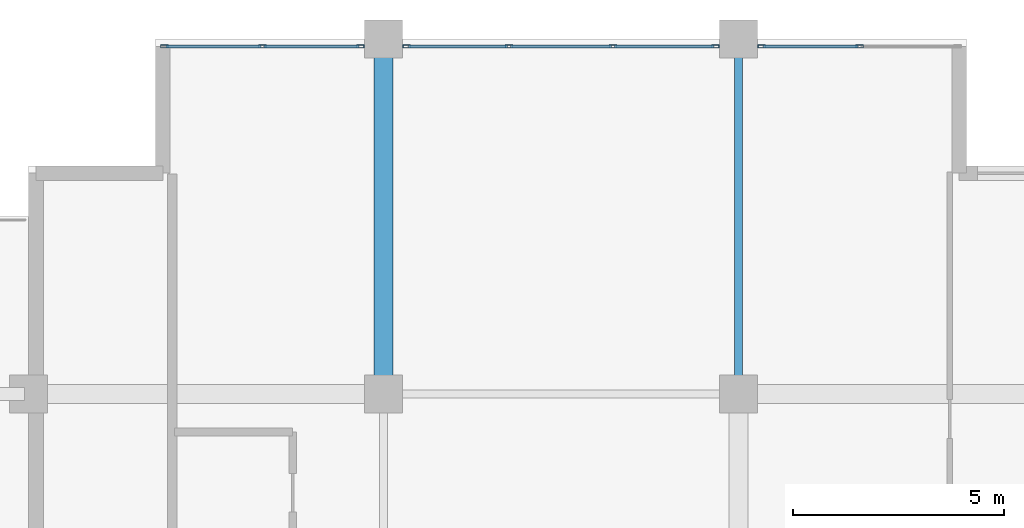
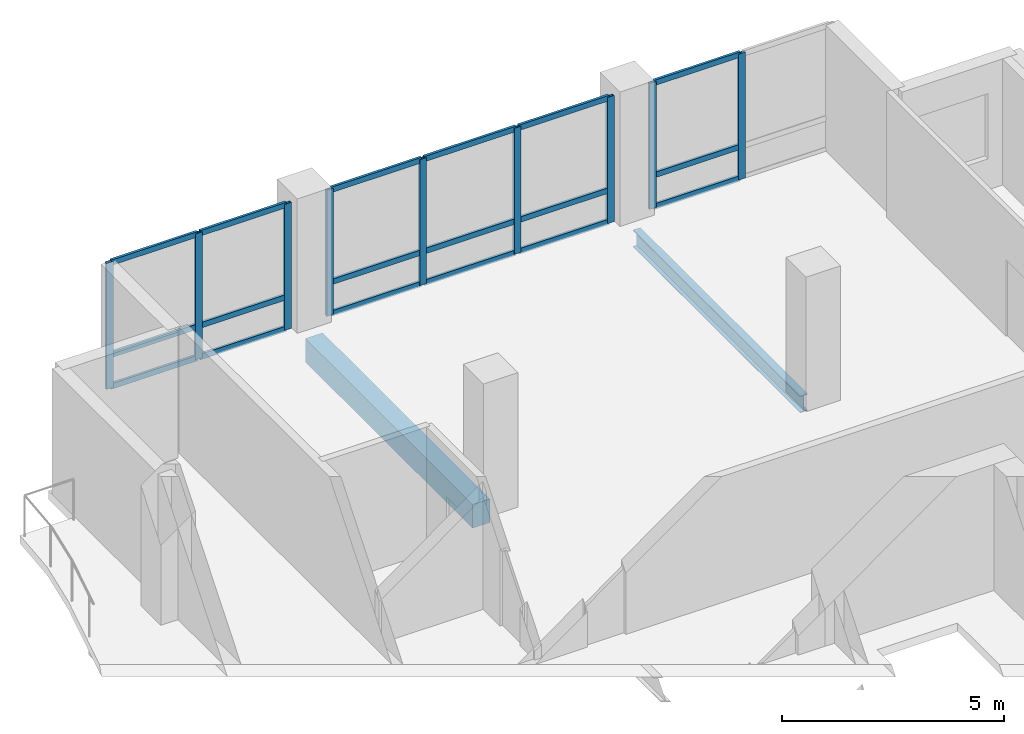
# One storey, part 3 of 16: 27 members, 2 beams, 3 elements without a shape of their own.
"""IFC4 building model written with IfcOpenShell, lengths in metres."""

from ifc_helpers import new_model, si_unit, direction, frame, origin, origin_2d, place, context, subcontext, project, spatial, rectangle, hollow_rectangle, i_section, extrude, material, layer, layer_set, material_profile, profile_set, type_object, element, aggregate, save


model = new_model("IFC4")

# Units and contexts
model_context = context("Model", 3, precision=1e-05, world=origin(), true_north=direction((0.0, 1.0)))
body_context = subcontext(model_context, "Body", "Model", "MODEL_VIEW")
ifc_project = project(units=[si_unit("LENGTHUNIT", "METRE"), si_unit("AREAUNIT", "SQUARE_METRE"), si_unit("VOLUMEUNIT", "CUBIC_METRE"), si_unit("PLANEANGLEUNIT", "RADIAN"), si_unit("MASSUNIT", "GRAM", prefix="KILO")], contexts=[model_context])

# Site, building, storey
site_placement = place(None, origin())
site = spatial("IfcSite", under=ifc_project, at=site_placement, CompositionType="ELEMENT")
building_placement = place(site_placement, origin())
building = spatial("IfcBuilding", under=site, at=building_placement, Name="Koriwani Terraces Tower", CompositionType="ELEMENT")
storey_placement = place(building_placement, frame((0.0, 0.0, 267.5)))
storey = spatial("IfcBuildingStorey", under=building, at=storey_placement, Name="L66", CompositionType="ELEMENT", Elevation=267.5)

# Beam
ifc_material_1 = material(Name="Concrete C50/60", Category="concrete")
ifc_material_profile_1 = material_profile(ifc_material_1, rectangle(XDim=0.449951171875, YDim=0.64990234375, at=origin_2d()), Name="Concrete C50/60", Category="LoadBearing")
ifc_profile_set_1 = profile_set([ifc_material_profile_1], Name="Concrete C50/60")
beam_type_1 = type_object("IfcBeamType", Name="BEAM_RC_GRID_450X650", PredefinedType="BEAM", material=ifc_profile_set_1)
beam_1_placement = place(storey_placement, frame((16.800048828125, 67.6298828125, -0.554931640625), z_axis=(0.0, 1.0, 0.0), x_axis=(-1.0, 0.0, 0.0)))
element("IfcBeam", 1, at=beam_1_placement, inside=storey, type_object=beam_type_1, Name="L66 Grid Beam 3 (67.2-75.6m)", PredefinedType="BEAM", context=body_context, shape_type="SweptSolid", body=[
    extrude(rectangle(XDim=0.449951171875, YDim=0.64990234375, at=origin_2d()), origin(), (0.0, 0.0, 1.0), 7.5400390625),
])

# Curtain wall, members
ifc_material_2 = material(Name="Anodised Bronze Aluminium", Category="aluminium")
ifc_layer = layer(ifc_material_2, 0.169921875, Name="Anodised Bronze Aluminium")
ifc_layer_set = layer_set([ifc_layer], Name="Anodised Bronze Aluminium")
curtain_wall_type = type_object("IfcCurtainWallType", Name="CW_RES_ZONE4", PredefinedType="NOTDEFINED", material=ifc_layer_set)
curtain_wall_1_placement = place(storey_placement, origin())
curtain_wall_1 = element("IfcCurtainWall", 2, at=curtain_wall_1_placement, inside=storey, type_object=curtain_wall_type, Name="L66 Unitised Curtain Wall (N_TIP) Bay 1", PredefinedType="NOTDEFINED")
ifc_material_profile_2 = material_profile(ifc_material_2, hollow_rectangle(XDim=0.074951171875, YDim=0.179931640625, WallThickness=0.006103515625, at=origin_2d()), Name="Anodised Bronze Aluminium", Category="LoadBearing")
ifc_profile_set_2 = profile_set([ifc_material_profile_2], Name="Anodised Bronze Aluminium")
member_type_1 = type_object("IfcMemberType", Name="CW_MULLION_180X75", PredefinedType="MULLION", material=ifc_profile_set_2)
member_1_placement = place(storey_placement, frame((11.612548828125, 75.425048828125, 0.0), z_axis=(0.0, 0.0, 1.0), x_axis=(0.0, 1.0, 0.0)))
member_1 = element("IfcMember", 3, at=member_1_placement, type_object=member_type_1, Name="CW-Z4 mullion 1", PredefinedType="MULLION", context=body_context, shape_type="SweptSolid", body=[
    extrude(hollow_rectangle(XDim=0.074951171875, YDim=0.179931640625, WallThickness=0.006103515625, at=origin_2d()), origin(), (0.0, 0.0, 1.0), 3.469970703125),
])
member_2_placement = place(storey_placement, frame((13.9326171875, 75.425048828125, 0.0), z_axis=(0.0, 0.0, 1.0), x_axis=(0.0, 1.0, 0.0)))
member_2 = element("IfcMember", 4, at=member_2_placement, type_object=member_type_1, Name="CW-Z4 mullion 2", PredefinedType="MULLION", context=body_context, shape_type="SweptSolid", body=[
    extrude(hollow_rectangle(XDim=0.074951171875, YDim=0.179931640625, WallThickness=0.006103515625, at=origin_2d()), origin(), (0.0, 0.0, 1.0), 3.469970703125),
])
member_3_placement = place(storey_placement, frame((16.25244140625, 75.425048828125, 0.0), z_axis=(0.0, 0.0, 1.0), x_axis=(0.0, 1.0, 0.0)))
member_3 = element("IfcMember", 5, at=member_3_placement, type_object=member_type_1, Name="CW-Z4 mullion 3", PredefinedType="MULLION", context=body_context, shape_type="SweptSolid", body=[
    extrude(hollow_rectangle(XDim=0.074951171875, YDim=0.179931640625, WallThickness=0.006103515625, at=origin_2d()), origin(), (0.0, 0.0, 1.0), 3.469970703125),
])

curtain_wall_2_placement = place(storey_placement, origin())
curtain_wall_2 = element("IfcCurtainWall", 6, at=curtain_wall_2_placement, inside=storey, type_object=curtain_wall_type, Name="L66 Unitised Curtain Wall (N_TIP) Bay 2", PredefinedType="NOTDEFINED")
member_4_placement = place(storey_placement, frame((17.347412109375, 75.425048828125, 0.0), z_axis=(0.0, 0.0, 1.0), x_axis=(0.0, 1.0, 0.0)))
member_4 = element("IfcMember", 7, at=member_4_placement, type_object=member_type_1, Name="CW-Z4 mullion 1", PredefinedType="MULLION", context=body_context, shape_type="SweptSolid", body=[
    extrude(hollow_rectangle(XDim=0.074951171875, YDim=0.179931640625, WallThickness=0.006103515625, at=origin_2d()), origin(), (0.0, 0.0, 1.0), 3.469970703125),
])
member_5_placement = place(storey_placement, frame((19.77001953125, 75.425048828125, 0.0), z_axis=(0.0, 0.0, 1.0), x_axis=(0.0, 1.0, 0.0)))
member_5 = element("IfcMember", 8, at=member_5_placement, type_object=member_type_1, Name="CW-Z4 mullion 2", PredefinedType="MULLION", context=body_context, shape_type="SweptSolid", body=[
    extrude(hollow_rectangle(XDim=0.074951171875, YDim=0.179931640625, WallThickness=0.006103515625, at=origin_2d()), origin(), (0.0, 0.0, 1.0), 3.469970703125),
])
member_6_placement = place(storey_placement, frame((22.22998046875, 75.425048828125, 0.0), z_axis=(0.0, 0.0, 1.0), x_axis=(0.0, 1.0, 0.0)))
member_6 = element("IfcMember", 9, at=member_6_placement, type_object=member_type_1, Name="CW-Z4 mullion 3", PredefinedType="MULLION", context=body_context, shape_type="SweptSolid", body=[
    extrude(hollow_rectangle(XDim=0.074951171875, YDim=0.179931640625, WallThickness=0.006103515625, at=origin_2d()), origin(), (0.0, 0.0, 1.0), 3.469970703125),
])
member_7_placement = place(storey_placement, frame((24.652587890625, 75.425048828125, 0.0), z_axis=(0.0, 0.0, 1.0), x_axis=(0.0, 1.0, 0.0)))
member_7 = element("IfcMember", 10, at=member_7_placement, type_object=member_type_1, Name="CW-Z4 mullion 4", PredefinedType="MULLION", context=body_context, shape_type="SweptSolid", body=[
    extrude(hollow_rectangle(XDim=0.074951171875, YDim=0.179931640625, WallThickness=0.006103515625, at=origin_2d()), origin(), (0.0, 0.0, 1.0), 3.469970703125),
])

curtain_wall_3_placement = place(storey_placement, origin())
curtain_wall_3 = element("IfcCurtainWall", 11, at=curtain_wall_3_placement, inside=storey, type_object=curtain_wall_type, Name="L66 Unitised Curtain Wall (N_TIP) Bay 3", PredefinedType="NOTDEFINED")
member_8_placement = place(storey_placement, frame((25.74755859375, 75.425048828125, 0.0), z_axis=(0.0, 0.0, 1.0), x_axis=(0.0, 1.0, 0.0)))
member_8 = element("IfcMember", 12, at=member_8_placement, type_object=member_type_1, Name="CW-Z4 mullion 1", PredefinedType="MULLION", context=body_context, shape_type="SweptSolid", body=[
    extrude(hollow_rectangle(XDim=0.074951171875, YDim=0.179931640625, WallThickness=0.006103515625, at=origin_2d()), origin(), (0.0, 0.0, 1.0), 3.469970703125),
])
member_9_placement = place(storey_placement, frame((28.0673828125, 75.425048828125, 0.0), z_axis=(0.0, 0.0, 1.0), x_axis=(0.0, 1.0, 0.0)))
member_9 = element("IfcMember", 13, at=member_9_placement, type_object=member_type_1, Name="CW-Z4 mullion 2", PredefinedType="MULLION", context=body_context, shape_type="SweptSolid", body=[
    extrude(hollow_rectangle(XDim=0.074951171875, YDim=0.179931640625, WallThickness=0.006103515625, at=origin_2d()), origin(), (0.0, 0.0, 1.0), 3.469970703125),
])

# Member
ifc_material_profile_3 = material_profile(ifc_material_2, hollow_rectangle(XDim=0.06494140625, YDim=0.14990234375, WallThickness=0.0048828125, at=origin_2d()), Name="Anodised Bronze Aluminium", Category="LoadBearing")
ifc_profile_set_3 = profile_set([ifc_material_profile_3], Name="Anodised Bronze Aluminium")
member_type_2 = type_object("IfcMemberType", Name="CW_TRANSOM_150X65", PredefinedType="USERDEFINED", material=ifc_profile_set_3)
member_10_placement = place(storey_placement, frame((11.64990234375, 75.425048828125, 0.032470703125), z_axis=(1.0, 0.0, 0.0), x_axis=(0.0, 1.0, 0.0)))
member_10 = element("IfcMember", 14, at=member_10_placement, type_object=member_type_2, Name="CW-Z4 transom 1.1", ObjectType="TRANSOM", PredefinedType="USERDEFINED", context=body_context, shape_type="SweptSolid", body=[
    extrude(hollow_rectangle(XDim=0.06494140625, YDim=0.14990234375, WallThickness=0.0048828125, at=origin_2d()), origin(), (0.0, 0.0, 1.0), 2.2451171875),
])

member_11_placement = place(storey_placement, frame((11.64990234375, 75.425048828125, 0.89990234375), z_axis=(1.0, 0.0, 0.0), x_axis=(0.0, 1.0, 0.0)))
member_11 = element("IfcMember", 15, at=member_11_placement, type_object=member_type_2, Name="CW-Z4 transom 1.2", ObjectType="TRANSOM", PredefinedType="USERDEFINED", context=body_context, shape_type="SweptSolid", body=[
    extrude(hollow_rectangle(XDim=0.06494140625, YDim=0.14990234375, WallThickness=0.0048828125, at=origin_2d()), origin(), (0.0, 0.0, 1.0), 2.2451171875),
])

member_12_placement = place(storey_placement, frame((11.64990234375, 75.425048828125, 3.4375), z_axis=(1.0, 0.0, 0.0), x_axis=(0.0, 1.0, 0.0)))
member_12 = element("IfcMember", 16, at=member_12_placement, type_object=member_type_2, Name="CW-Z4 transom 1.3", ObjectType="TRANSOM", PredefinedType="USERDEFINED", context=body_context, shape_type="SweptSolid", body=[
    extrude(hollow_rectangle(XDim=0.06494140625, YDim=0.14990234375, WallThickness=0.0048828125, at=origin_2d()), origin(), (0.0, 0.0, 1.0), 2.2451171875),
])

member_13_placement = place(storey_placement, frame((13.969970703125, 75.425048828125, 0.032470703125), z_axis=(1.0, 0.0, 0.0), x_axis=(0.0, 1.0, 0.0)))
member_13 = element("IfcMember", 17, at=member_13_placement, type_object=member_type_2, Name="CW-Z4 transom 2.1", ObjectType="TRANSOM", PredefinedType="USERDEFINED", context=body_context, shape_type="SweptSolid", body=[
    extrude(hollow_rectangle(XDim=0.06494140625, YDim=0.14990234375, WallThickness=0.0048828125, at=origin_2d()), origin(), (0.0, 0.0, 1.0), 2.2451171875),
])

member_14_placement = place(storey_placement, frame((13.969970703125, 75.425048828125, 0.89990234375), z_axis=(1.0, 0.0, 0.0), x_axis=(0.0, 1.0, 0.0)))
member_14 = element("IfcMember", 18, at=member_14_placement, type_object=member_type_2, Name="CW-Z4 transom 2.2", ObjectType="TRANSOM", PredefinedType="USERDEFINED", context=body_context, shape_type="SweptSolid", body=[
    extrude(hollow_rectangle(XDim=0.06494140625, YDim=0.14990234375, WallThickness=0.0048828125, at=origin_2d()), origin(), (0.0, 0.0, 1.0), 2.2451171875),
])

member_15_placement = place(storey_placement, frame((13.969970703125, 75.425048828125, 3.4375), z_axis=(1.0, 0.0, 0.0), x_axis=(0.0, 1.0, 0.0)))
member_15 = element("IfcMember", 19, at=member_15_placement, type_object=member_type_2, Name="CW-Z4 transom 2.3", ObjectType="TRANSOM", PredefinedType="USERDEFINED", context=body_context, shape_type="SweptSolid", body=[
    extrude(hollow_rectangle(XDim=0.06494140625, YDim=0.14990234375, WallThickness=0.0048828125, at=origin_2d()), origin(), (0.0, 0.0, 1.0), 2.2451171875),
])

aggregate(curtain_wall_1, [member_1, member_2, member_3, member_10, member_11, member_12, member_13, member_14, member_15])

member_16_placement = place(storey_placement, frame((17.385009765625, 75.425048828125, 0.032470703125), z_axis=(1.0, 0.0, 0.0), x_axis=(0.0, 1.0, 0.0)))
member_16 = element("IfcMember", 20, at=member_16_placement, type_object=member_type_2, Name="CW-Z4 transom 1.1", ObjectType="TRANSOM", PredefinedType="USERDEFINED", context=body_context, shape_type="SweptSolid", body=[
    extrude(hollow_rectangle(XDim=0.06494140625, YDim=0.14990234375, WallThickness=0.0048828125, at=origin_2d()), origin(), (0.0, 0.0, 1.0), 2.347412109375),
])

member_17_placement = place(storey_placement, frame((17.385009765625, 75.425048828125, 0.89990234375), z_axis=(1.0, 0.0, 0.0), x_axis=(0.0, 1.0, 0.0)))
member_17 = element("IfcMember", 21, at=member_17_placement, type_object=member_type_2, Name="CW-Z4 transom 1.2", ObjectType="TRANSOM", PredefinedType="USERDEFINED", context=body_context, shape_type="SweptSolid", body=[
    extrude(hollow_rectangle(XDim=0.06494140625, YDim=0.14990234375, WallThickness=0.0048828125, at=origin_2d()), origin(), (0.0, 0.0, 1.0), 2.347412109375),
])

member_18_placement = place(storey_placement, frame((17.385009765625, 75.425048828125, 3.4375), z_axis=(1.0, 0.0, 0.0), x_axis=(0.0, 1.0, 0.0)))
member_18 = element("IfcMember", 22, at=member_18_placement, type_object=member_type_2, Name="CW-Z4 transom 1.3", ObjectType="TRANSOM", PredefinedType="USERDEFINED", context=body_context, shape_type="SweptSolid", body=[
    extrude(hollow_rectangle(XDim=0.06494140625, YDim=0.14990234375, WallThickness=0.0048828125, at=origin_2d()), origin(), (0.0, 0.0, 1.0), 2.347412109375),
])

member_19_placement = place(storey_placement, frame((19.8076171875, 75.425048828125, 0.032470703125), z_axis=(1.0, 0.0, 0.0), x_axis=(0.0, 1.0, 0.0)))
member_19 = element("IfcMember", 23, at=member_19_placement, type_object=member_type_2, Name="CW-Z4 transom 2.1", ObjectType="TRANSOM", PredefinedType="USERDEFINED", context=body_context, shape_type="SweptSolid", body=[
    extrude(hollow_rectangle(XDim=0.06494140625, YDim=0.14990234375, WallThickness=0.0048828125, at=origin_2d()), origin(), (0.0, 0.0, 1.0), 2.384765625),
])

member_20_placement = place(storey_placement, frame((19.8076171875, 75.425048828125, 0.89990234375), z_axis=(1.0, 0.0, 0.0), x_axis=(0.0, 1.0, 0.0)))
member_20 = element("IfcMember", 24, at=member_20_placement, type_object=member_type_2, Name="CW-Z4 transom 2.2", ObjectType="TRANSOM", PredefinedType="USERDEFINED", context=body_context, shape_type="SweptSolid", body=[
    extrude(hollow_rectangle(XDim=0.06494140625, YDim=0.14990234375, WallThickness=0.0048828125, at=origin_2d()), origin(), (0.0, 0.0, 1.0), 2.384765625),
])

member_21_placement = place(storey_placement, frame((19.8076171875, 75.425048828125, 3.4375), z_axis=(1.0, 0.0, 0.0), x_axis=(0.0, 1.0, 0.0)))
member_21 = element("IfcMember", 25, at=member_21_placement, type_object=member_type_2, Name="CW-Z4 transom 2.3", ObjectType="TRANSOM", PredefinedType="USERDEFINED", context=body_context, shape_type="SweptSolid", body=[
    extrude(hollow_rectangle(XDim=0.06494140625, YDim=0.14990234375, WallThickness=0.0048828125, at=origin_2d()), origin(), (0.0, 0.0, 1.0), 2.384765625),
])

member_22_placement = place(storey_placement, frame((22.267578125, 75.425048828125, 0.032470703125), z_axis=(1.0, 0.0, 0.0), x_axis=(0.0, 1.0, 0.0)))
member_22 = element("IfcMember", 26, at=member_22_placement, type_object=member_type_2, Name="CW-Z4 transom 3.1", ObjectType="TRANSOM", PredefinedType="USERDEFINED", context=body_context, shape_type="SweptSolid", body=[
    extrude(hollow_rectangle(XDim=0.06494140625, YDim=0.14990234375, WallThickness=0.0048828125, at=origin_2d()), origin(), (0.0, 0.0, 1.0), 2.347412109375),
])

member_23_placement = place(storey_placement, frame((22.267578125, 75.425048828125, 0.89990234375), z_axis=(1.0, 0.0, 0.0), x_axis=(0.0, 1.0, 0.0)))
member_23 = element("IfcMember", 27, at=member_23_placement, type_object=member_type_2, Name="CW-Z4 transom 3.2", ObjectType="TRANSOM", PredefinedType="USERDEFINED", context=body_context, shape_type="SweptSolid", body=[
    extrude(hollow_rectangle(XDim=0.06494140625, YDim=0.14990234375, WallThickness=0.0048828125, at=origin_2d()), origin(), (0.0, 0.0, 1.0), 2.347412109375),
])

member_24_placement = place(storey_placement, frame((22.267578125, 75.425048828125, 3.4375), z_axis=(1.0, 0.0, 0.0), x_axis=(0.0, 1.0, 0.0)))
member_24 = element("IfcMember", 28, at=member_24_placement, type_object=member_type_2, Name="CW-Z4 transom 3.3", ObjectType="TRANSOM", PredefinedType="USERDEFINED", context=body_context, shape_type="SweptSolid", body=[
    extrude(hollow_rectangle(XDim=0.06494140625, YDim=0.14990234375, WallThickness=0.0048828125, at=origin_2d()), origin(), (0.0, 0.0, 1.0), 2.347412109375),
])

aggregate(curtain_wall_2, [member_4, member_5, member_6, member_7, member_16, member_17, member_18, member_19, member_20, member_21, member_22, member_23, member_24])

member_25_placement = place(storey_placement, frame((25.784912109375, 75.425048828125, 0.032470703125), z_axis=(1.0, 0.0, 0.0), x_axis=(0.0, 1.0, 0.0)))
member_25 = element("IfcMember", 29, at=member_25_placement, type_object=member_type_2, Name="CW-Z4 transom 1.1", ObjectType="TRANSOM", PredefinedType="USERDEFINED", context=body_context, shape_type="SweptSolid", body=[
    extrude(hollow_rectangle(XDim=0.06494140625, YDim=0.14990234375, WallThickness=0.0048828125, at=origin_2d()), origin(), (0.0, 0.0, 1.0), 2.2451171875),
])

member_26_placement = place(storey_placement, frame((25.784912109375, 75.425048828125, 0.89990234375), z_axis=(1.0, 0.0, 0.0), x_axis=(0.0, 1.0, 0.0)))
member_26 = element("IfcMember", 30, at=member_26_placement, type_object=member_type_2, Name="CW-Z4 transom 1.2", ObjectType="TRANSOM", PredefinedType="USERDEFINED", context=body_context, shape_type="SweptSolid", body=[
    extrude(hollow_rectangle(XDim=0.06494140625, YDim=0.14990234375, WallThickness=0.0048828125, at=origin_2d()), origin(), (0.0, 0.0, 1.0), 2.2451171875),
])

member_27_placement = place(storey_placement, frame((25.784912109375, 75.425048828125, 3.4375), z_axis=(1.0, 0.0, 0.0), x_axis=(0.0, 1.0, 0.0)))
member_27 = element("IfcMember", 31, at=member_27_placement, type_object=member_type_2, Name="CW-Z4 transom 1.3", ObjectType="TRANSOM", PredefinedType="USERDEFINED", context=body_context, shape_type="SweptSolid", body=[
    extrude(hollow_rectangle(XDim=0.06494140625, YDim=0.14990234375, WallThickness=0.0048828125, at=origin_2d()), origin(), (0.0, 0.0, 1.0), 2.2451171875),
])

aggregate(curtain_wall_3, [member_8, member_9, member_25, member_26, member_27])

# Beam
ifc_material_3 = material(Name="Steel ASTM A572 Grade 50", Category="steel")
ifc_material_profile_4 = material_profile(ifc_material_3, i_section(OverallWidth=0.193115234375, OverallDepth=0.462890625, WebThickness=0.0107421875, FlangeThickness=0.017333984375, at=origin_2d()), Name="Steel ASTM A572 Grade 50", Category="LoadBearing")
ifc_profile_set_4 = profile_set([ifc_material_profile_4], Name="Steel ASTM A572 Grade 50")
beam_type_2 = type_object("IfcBeamType", Name="STEEL_BEAM_W460X113", PredefinedType="BEAM", material=ifc_profile_set_4)
beam_2_placement = place(storey_placement, frame((25.199951171875, 67.6298828125, -0.46142578125), z_axis=(0.0, 1.0, 0.0), x_axis=(-1.0, 0.0, 0.0)))
element("IfcBeam", 32, at=beam_2_placement, inside=storey, type_object=beam_type_2, Name="L66 Grid Beam 4 (67.2-75.6m)", PredefinedType="BEAM", context=body_context, shape_type="SweptSolid", body=[
    extrude(i_section(OverallWidth=0.193115234375, OverallDepth=0.462890625, WebThickness=0.0107421875, FlangeThickness=0.017333984375, at=origin_2d()), origin(), (0.0, 0.0, 1.0), 7.5400390625),
])

save(model, "model.ifc")
